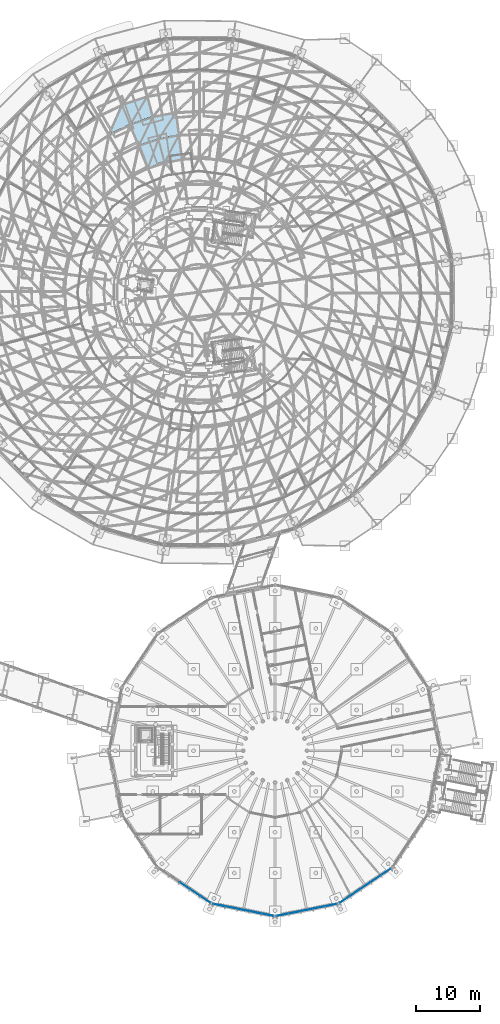
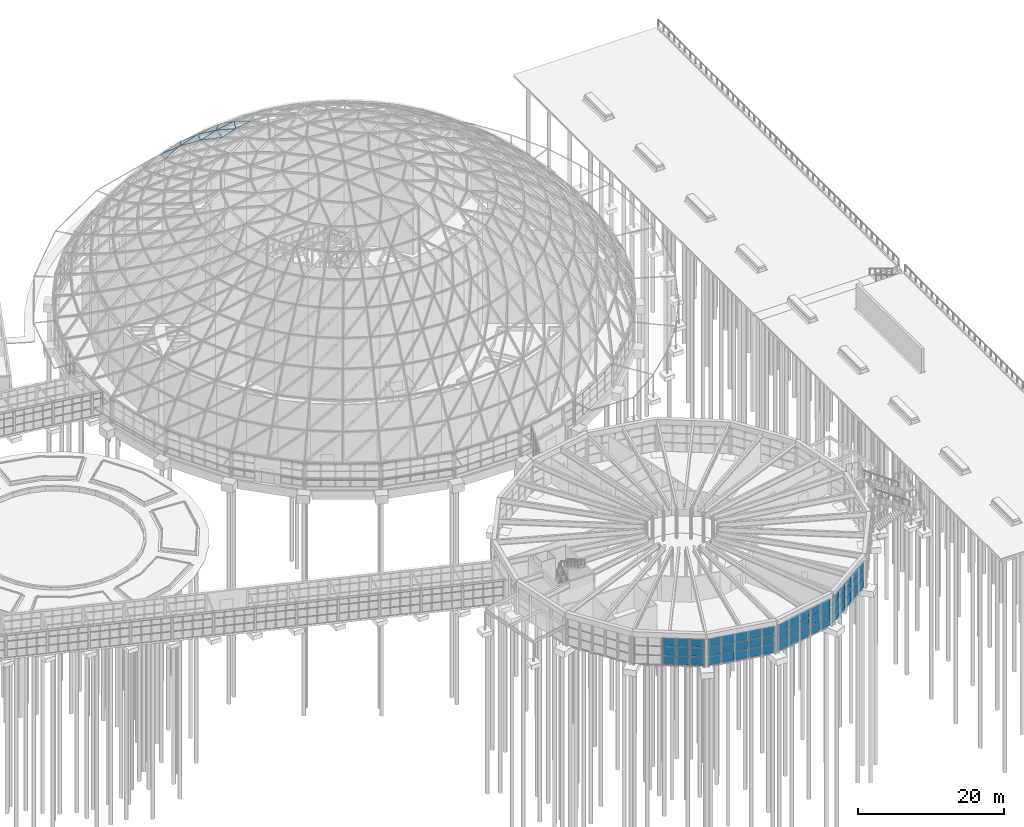
# One storey, part 142 of 226: 65 plates, 4 elements without a shape of their own.
"""IFC4 building model written with IfcOpenShell, lengths in metres."""

from ifc_helpers import new_model, si_unit, direction, frame, origin, origin_2d, place, context, subcontext, project, spatial, polyline, rectangle, outline, extrude, material, layer, layer_set, type_object, element, aggregate, save


model = new_model("IFC4")

# Units and contexts
model_context = context("Model", 3, precision=1e-05, world=origin(), true_north=direction((0.0, 1.0)))
body_context = subcontext(model_context, "Body", "Model", "MODEL_VIEW")
ifc_project = project(units=[si_unit("LENGTHUNIT", "METRE"), si_unit("AREAUNIT", "SQUARE_METRE"), si_unit("VOLUMEUNIT", "CUBIC_METRE"), si_unit("PLANEANGLEUNIT", "RADIAN"), si_unit("MASSUNIT", "GRAM", prefix="KILO")], contexts=[model_context])

# Site, building, storey
site_placement = place(None, origin())
site = spatial("IfcSite", under=ifc_project, at=site_placement, CompositionType="ELEMENT")
building_placement = place(site_placement, origin())
building = spatial("IfcBuilding", under=site, at=building_placement, Name="Ceibo Conservatory and Research Tower", CompositionType="ELEMENT")
storey_placement = place(building_placement, origin())
storey = spatial("IfcBuildingStorey", under=building, at=storey_placement, Name="L00", CompositionType="ELEMENT", Elevation=0.0)

# Plates
ifc_material_1 = material(Name="Laminated glass", Category="glass")
ifc_layer_1 = layer(ifc_material_1, 0.035888671875)
ifc_layer_set_1 = layer_set([ifc_layer_1], Name="Laminated glass")
plate_type_1 = type_object("IfcPlateType", Name="Gridshell roof glass 36", PredefinedType="SHEET", material=ifc_layer_set_1)
plate_1_placement = place(storey_placement, frame((147.88427734375, 138.825439453125, 14.735107421875), z_axis=(-0.20446077531, 0.610779892155, 0.764946870507), x_axis=(-0.948278477637, -0.317439645997, 0.0)))
element("IfcPlate", 1, at=plate_1_placement, inside=storey, type_object=plate_type_1, Name="Glass panel A-P04-027", PredefinedType="SHEET", context=body_context, shape_type="SweptSolid", body=[
    extrude(outline(polyline([(0.0, 0.0), (4.169253414990529, 1.1102230246251565e-16), (3.9511782223790974, 4.371530440920581), (0.0, 0.0)])), origin(), (0.0, 0.0, -1.0), 0.035888671875),
])
plate_2_placement = place(storey_placement, frame((147.88427734375, 138.825439453125, 14.735107421875), z_axis=(-0.204308966422, 0.610735918392, 0.765022538377), x_axis=(-0.455711868025, -0.750998574399, 0.477836619141)))
element("IfcPlate", 2, at=plate_2_placement, inside=storey, type_object=plate_type_1, Name="Glass panel A-P04-028", PredefinedType="SHEET", context=body_context, shape_type="SweptSolid", body=[
    extrude(outline(polyline([(0.0, 0.0), (5.892545098758103, 0.0), (3.390803005428059, 2.768753154470371), (0.0, 0.0)])), origin(), (0.0, 0.0, -1.0), 0.035888671875),
])
plate_3_placement = place(storey_placement, frame((143.9306640625, 137.501953125, 14.735107421875), z_axis=(-0.282443557744, 0.578880737511, 0.764933152914), x_axis=(-0.3537956959, -0.804047227385, 0.477845855582)))
element("IfcPlate", 3, at=plate_3_placement, inside=storey, type_object=plate_type_1, Name="Glass panel A-P04-030", PredefinedType="SHEET", context=body_context, shape_type="SweptSolid", body=[
    extrude(outline(polyline([(0.0, 0.0), (5.892431199793323, 4.440892098500626e-16), (3.390734286170372, 2.767807107823177), (0.0, 0.0)])), origin(), (0.0, 0.0, -1.0), 0.035888671875),
])
plate_4_placement = place(storey_placement, frame((152.39990234375, 136.2958984375, 17.55078125), z_axis=(-0.108793858736, 0.559639191027, 0.821564283649), x_axis=(-0.981623562883, -0.190827620624, 0.0)))
element("IfcPlate", 4, at=plate_4_placement, inside=storey, type_object=plate_type_1, Name="Glass panel A-P05-025", PredefinedType="SHEET", context=body_context, shape_type="SweptSolid", body=[
    extrude(outline(polyline([(0.0, 0.0), (3.73066571899013, 0.0), (3.4957060668333306, 4.37008531525886), (0.0, 0.0)])), origin(), (0.0, 0.0, -1.0), 0.035888671875),
])
plate_5_placement = place(storey_placement, frame((152.39990234375, 136.2958984375, 17.55078125), z_axis=(-0.108868572224, 0.559669848346, 0.821533501955), x_axis=(-0.490749297794, -0.748971814786, 0.445203714462)))
element("IfcPlate", 5, at=plate_5_placement, inside=storey, type_object=plate_type_1, Name="Glass panel A-P05-026", PredefinedType="SHEET", context=body_context, shape_type="SweptSolid", body=[
    extrude(outline(polyline([(0.0, 0.0), (5.596213592093898, -2.220446049250313e-16), (3.559321338069287, 2.5458715288218237), (0.0, 0.0)])), origin(), (0.0, 0.0, -1.0), 0.035888671875),
])
plate_6_placement = place(storey_placement, frame((148.73779296875, 135.583984375, 17.55078125), z_axis=(-0.180865110902, 0.540655760471, 0.82157115354), x_axis=(-0.948342536456, -0.317248220716, 0.0)))
element("IfcPlate", 6, at=plate_6_placement, inside=storey, type_object=plate_type_1, Name="Glass panel A-P05-027", PredefinedType="SHEET", context=body_context, shape_type="SweptSolid", body=[
    extrude(outline(polyline([(0.0, 0.0), (3.7315824434050784, 1.1102230246251565e-16), (3.4956492627569684, 4.370161202388543), (0.0, 0.0)])), origin(), (0.0, 0.0, -1.0), 0.035888671875),
])
plate_7_placement = place(storey_placement, frame((148.73779296875, 135.583984375, 17.55078125), z_axis=(-0.18088960049, 0.540662237575, 0.821561499399), x_axis=(-0.388837221636, -0.806598383353, 0.44520182282)))
element("IfcPlate", 7, at=plate_7_placement, inside=storey, type_object=plate_type_1, Name="Glass panel A-P05-028", PredefinedType="SHEET", context=body_context, shape_type="SweptSolid", body=[
    extrude(outline(polyline([(0.0, 0.0), (5.596237370151074, 0.0), (3.559667075945538, 2.5459029850353927), (0.0, 0.0)])), origin(), (0.0, 0.0, -1.0), 0.035888671875),
])
plate_8_placement = place(storey_placement, frame((152.85400390625, 132.72705078125, 20.042236328125), z_axis=(-0.093734737232, 0.481870066812, 0.871214690961), x_axis=(-0.98160096761, -0.190943814738, 0.0)))
element("IfcPlate", 8, at=plate_8_placement, inside=storey, type_object=plate_type_1, Name="Glass panel A-P06-025", PredefinedType="SHEET", context=body_context, shape_type="SweptSolid", body=[
    extrude(outline(polyline([(0.0, 0.0), (3.2604281767539405, 1.1102230246251565e-16), (3.011051529178231, 4.371037627159272), (0.0, 0.0)])), origin(), (0.0, 0.0, -1.0), 0.035888671875),
])
plate_9_placement = place(storey_placement, frame((152.85400390625, 132.72705078125, 20.042236328125), z_axis=(-0.093753762431, 0.481876977089, 0.871208821685), x_axis=(-0.419859274321, -0.812580405363, 0.404266341149)))
element("IfcPlate", 9, at=plate_9_placement, inside=storey, type_object=plate_type_1, Name="Glass panel A-P06-026", PredefinedType="SHEET", context=body_context, shape_type="SweptSolid", body=[
    extrude(outline(polyline([(0.0, 0.0), (5.307768010134648, 2.220446049250313e-16), (3.741251569925175, 2.2739069111641284), (0.0, 0.0)])), origin(), (0.0, 0.0, -1.0), 0.035888671875),
])
plate_10_placement = place(storey_placement, frame((149.653564453125, 132.1044921875, 20.042236328125), z_axis=(-0.155775901293, 0.465599720078, 0.871177805755), x_axis=(-0.948330755755, -0.317283434313, 0.0)))
element("IfcPlate", 10, at=plate_10_placement, inside=storey, type_object=plate_type_1, Name="Glass panel A-P06-027", PredefinedType="SHEET", context=body_context, shape_type="SweptSolid", body=[
    extrude(outline(polyline([(0.0, 0.0), (3.2602516118319063, 0.0), (3.0105649577236844, 4.370454885644657), (0.0, 0.0)])), origin(), (0.0, 0.0, -1.0), 0.035888671875),
])
plate_11_placement = place(storey_placement, frame((149.653564453125, 132.1044921875, 20.042236328125), z_axis=(-0.155638241436, 0.465569273811, 0.871218680405), x_axis=(-0.310338968485, -0.86035567575, 0.404323924402)))
element("IfcPlate", 11, at=plate_11_placement, inside=storey, type_object=plate_type_1, Name="Glass panel A-P06-028", PredefinedType="SHEET", context=body_context, shape_type="SweptSolid", body=[
    extrude(outline(polyline([(0.0, 0.0), (5.307012085168929, -3.3306690738754696e-16), (3.7410351398121575, 2.2743822750559963), (0.0, 0.0)])), origin(), (0.0, 0.0, -1.0), 0.035888671875),
])

# Curtain wall, plates
ifc_material_2 = material(Name="Aluminium and glass", Category="aluminium")
curtain_wall_type = type_object("IfcCurtainWallType", Name="Pavilion curtain wall", PredefinedType="NOTDEFINED", material=ifc_material_2)
curtain_wall_1_placement = place(storey_placement, origin())
curtain_wall_1 = element("IfcCurtainWall", 12, at=curtain_wall_1_placement, inside=storey, type_object=curtain_wall_type, Name="Pavilion curtain wall VC-CW11", PredefinedType="NOTDEFINED")
ifc_layer_2 = layer(ifc_material_1, 0.028076171875)
ifc_layer_set_2 = layer_set([ifc_layer_2], Name="Laminated glass")
plate_type_2 = type_object("IfcPlateType", Name="Pavilion glass 28", PredefinedType="CURTAIN_PANEL", material=ifc_layer_set_2)
plate_12_placement = place(storey_placement, frame((153.832763671875, 14.797119140625, 0.06005859375), z_axis=(0.0, 0.0, 1.0), x_axis=(0.831469588992, -0.555570267906, 0.0)))
plate_12 = element("IfcPlate", 13, at=plate_12_placement, type_object=plate_type_2, Name="VC-CW11 panel 3.1", PredefinedType="CURTAIN_PANEL", context=body_context, shape_type="SweptSolid", body=[
    extrude(rectangle(XDim=1.8876953125, YDim=0.028076171875, at=origin_2d()), origin(), (0.0, 0.0, 1.0), 1.490966796875),
])
plate_13_placement = place(storey_placement, frame((153.832763671875, 14.797119140625, 1.61083984375), z_axis=(0.0, 0.0, 1.0), x_axis=(0.831469588992, -0.555570267906, 0.0)))
plate_13 = element("IfcPlate", 14, at=plate_13_placement, type_object=plate_type_2, Name="VC-CW11 panel 3.2", PredefinedType="CURTAIN_PANEL", context=body_context, shape_type="SweptSolid", body=[
    extrude(rectangle(XDim=1.8876953125, YDim=0.028076171875, at=origin_2d()), origin(), (0.0, 0.0, 1.0), 1.47412109375),
])
plate_14_placement = place(storey_placement, frame((153.832763671875, 14.797119140625, 3.14501953125), z_axis=(0.0, 0.0, 1.0), x_axis=(0.831469588992, -0.555570267906, 0.0)))
plate_14 = element("IfcPlate", 15, at=plate_14_placement, type_object=plate_type_2, Name="VC-CW11 panel 3.3", PredefinedType="CURTAIN_PANEL", context=body_context, shape_type="SweptSolid", body=[
    extrude(rectangle(XDim=1.8876953125, YDim=0.028076171875, at=origin_2d()), origin(), (0.0, 0.0, 1.0), 1.444091796875),
])
plate_15_placement = place(storey_placement, frame((155.4521484375, 13.715087890625, 0.06005859375), z_axis=(0.0, 0.0, 1.0), x_axis=(0.831469588992, -0.555570267906, 0.0)))
plate_15 = element("IfcPlate", 16, at=plate_15_placement, type_object=plate_type_2, Name="VC-CW11 panel 4.1", PredefinedType="CURTAIN_PANEL", context=body_context, shape_type="SweptSolid", body=[
    extrude(rectangle(XDim=1.8876953125, YDim=0.028076171875, at=origin_2d()), origin(), (0.0, 0.0, 1.0), 1.490966796875),
])
plate_16_placement = place(storey_placement, frame((155.4521484375, 13.715087890625, 1.61083984375), z_axis=(0.0, 0.0, 1.0), x_axis=(0.831469588992, -0.555570267906, 0.0)))
plate_16 = element("IfcPlate", 17, at=plate_16_placement, type_object=plate_type_2, Name="VC-CW11 panel 4.2", PredefinedType="CURTAIN_PANEL", context=body_context, shape_type="SweptSolid", body=[
    extrude(rectangle(XDim=1.8876953125, YDim=0.028076171875, at=origin_2d()), origin(), (0.0, 0.0, 1.0), 1.47412109375),
])
plate_17_placement = place(storey_placement, frame((155.4521484375, 13.715087890625, 3.14501953125), z_axis=(0.0, 0.0, 1.0), x_axis=(0.831469588992, -0.555570267906, 0.0)))
plate_17 = element("IfcPlate", 18, at=plate_17_placement, type_object=plate_type_2, Name="VC-CW11 panel 4.3", PredefinedType="CURTAIN_PANEL", context=body_context, shape_type="SweptSolid", body=[
    extrude(rectangle(XDim=1.8876953125, YDim=0.028076171875, at=origin_2d()), origin(), (0.0, 0.0, 1.0), 1.444091796875),
])
plate_18_placement = place(storey_placement, frame((157.05908203125, 12.641357421875, 0.06005859375), z_axis=(0.0, 0.0, 1.0), x_axis=(0.831469588992, -0.555570267906, 0.0)))
plate_18 = element("IfcPlate", 19, at=plate_18_placement, type_object=plate_type_2, Name="VC-CW11 panel 5.1", PredefinedType="CURTAIN_PANEL", context=body_context, shape_type="SweptSolid", body=[
    extrude(rectangle(XDim=1.857666015625, YDim=0.028076171875, at=origin_2d()), origin(), (0.0, 0.0, 1.0), 1.490966796875),
])
plate_19_placement = place(storey_placement, frame((157.05908203125, 12.641357421875, 1.61083984375), z_axis=(0.0, 0.0, 1.0), x_axis=(0.831469588992, -0.555570267906, 0.0)))
plate_19 = element("IfcPlate", 20, at=plate_19_placement, type_object=plate_type_2, Name="VC-CW11 panel 5.2", PredefinedType="CURTAIN_PANEL", context=body_context, shape_type="SweptSolid", body=[
    extrude(rectangle(XDim=1.857666015625, YDim=0.028076171875, at=origin_2d()), origin(), (0.0, 0.0, 1.0), 1.47412109375),
])
plate_20_placement = place(storey_placement, frame((157.05908203125, 12.641357421875, 3.14501953125), z_axis=(0.0, 0.0, 1.0), x_axis=(0.831469588992, -0.555570267906, 0.0)))
plate_20 = element("IfcPlate", 21, at=plate_20_placement, type_object=plate_type_2, Name="VC-CW11 panel 5.3", PredefinedType="CURTAIN_PANEL", context=body_context, shape_type="SweptSolid", body=[
    extrude(rectangle(XDim=1.857666015625, YDim=0.028076171875, at=origin_2d()), origin(), (0.0, 0.0, 1.0), 1.444091796875),
])
aggregate(curtain_wall_1, [plate_12, plate_13, plate_14, plate_15, plate_16, plate_17, plate_18, plate_19, plate_20])

curtain_wall_2_placement = place(storey_placement, origin())
curtain_wall_2 = element("IfcCurtainWall", 22, at=curtain_wall_2_placement, inside=storey, type_object=curtain_wall_type, Name="Pavilion curtain wall VC-CW12", PredefinedType="NOTDEFINED")
plate_21_placement = place(storey_placement, frame((159.21923828125, 11.74658203125, 0.06005859375), z_axis=(0.0, 0.0, 1.0), x_axis=(0.980785282416, -0.195090311899, 0.0)))
plate_21 = element("IfcPlate", 23, at=plate_21_placement, type_object=plate_type_2, Name="VC-CW12 panel 1.1", PredefinedType="CURTAIN_PANEL", context=body_context, shape_type="SweptSolid", body=[
    extrude(rectangle(XDim=1.857666015625, YDim=0.028076171875, at=origin_2d()), origin(), (0.0, 0.0, 1.0), 1.490966796875),
])
plate_22_placement = place(storey_placement, frame((159.21923828125, 11.74658203125, 1.61083984375), z_axis=(0.0, 0.0, 1.0), x_axis=(0.980785282416, -0.195090311899, 0.0)))
plate_22 = element("IfcPlate", 24, at=plate_22_placement, type_object=plate_type_2, Name="VC-CW12 panel 1.2", PredefinedType="CURTAIN_PANEL", context=body_context, shape_type="SweptSolid", body=[
    extrude(rectangle(XDim=1.857666015625, YDim=0.028076171875, at=origin_2d()), origin(), (0.0, 0.0, 1.0), 1.47412109375),
])
plate_23_placement = place(storey_placement, frame((159.21923828125, 11.74658203125, 3.14501953125), z_axis=(0.0, 0.0, 1.0), x_axis=(0.980785282416, -0.195090311899, 0.0)))
plate_23 = element("IfcPlate", 25, at=plate_23_placement, type_object=plate_type_2, Name="VC-CW12 panel 1.3", PredefinedType="CURTAIN_PANEL", context=body_context, shape_type="SweptSolid", body=[
    extrude(rectangle(XDim=1.857666015625, YDim=0.028076171875, at=origin_2d()), origin(), (0.0, 0.0, 1.0), 1.444091796875),
])
plate_24_placement = place(storey_placement, frame((161.114990234375, 11.36962890625, 0.06005859375), z_axis=(0.0, 0.0, 1.0), x_axis=(0.980785282416, -0.195090311899, 0.0)))
plate_24 = element("IfcPlate", 26, at=plate_24_placement, type_object=plate_type_2, Name="VC-CW12 panel 2.1", PredefinedType="CURTAIN_PANEL", context=body_context, shape_type="SweptSolid", body=[
    extrude(rectangle(XDim=1.8876953125, YDim=0.028076171875, at=origin_2d()), origin(), (0.0, 0.0, 1.0), 1.490966796875),
])
plate_25_placement = place(storey_placement, frame((161.114990234375, 11.36962890625, 1.61083984375), z_axis=(0.0, 0.0, 1.0), x_axis=(0.980785282416, -0.195090311899, 0.0)))
plate_25 = element("IfcPlate", 27, at=plate_25_placement, type_object=plate_type_2, Name="VC-CW12 panel 2.2", PredefinedType="CURTAIN_PANEL", context=body_context, shape_type="SweptSolid", body=[
    extrude(rectangle(XDim=1.8876953125, YDim=0.028076171875, at=origin_2d()), origin(), (0.0, 0.0, 1.0), 1.47412109375),
])
plate_26_placement = place(storey_placement, frame((161.114990234375, 11.36962890625, 3.14501953125), z_axis=(0.0, 0.0, 1.0), x_axis=(0.980785282416, -0.195090311899, 0.0)))
plate_26 = element("IfcPlate", 28, at=plate_26_placement, type_object=plate_type_2, Name="VC-CW12 panel 2.3", PredefinedType="CURTAIN_PANEL", context=body_context, shape_type="SweptSolid", body=[
    extrude(rectangle(XDim=1.8876953125, YDim=0.028076171875, at=origin_2d()), origin(), (0.0, 0.0, 1.0), 1.444091796875),
])
plate_27_placement = place(storey_placement, frame((163.025146484375, 10.989501953125, 0.06005859375), z_axis=(0.0, 0.0, 1.0), x_axis=(0.980785282416, -0.195090311899, 0.0)))
plate_27 = element("IfcPlate", 29, at=plate_27_placement, type_object=plate_type_2, Name="VC-CW12 panel 3.1", PredefinedType="CURTAIN_PANEL", context=body_context, shape_type="SweptSolid", body=[
    extrude(rectangle(XDim=1.8876953125, YDim=0.028076171875, at=origin_2d()), origin(), (0.0, 0.0, 1.0), 1.490966796875),
])
plate_28_placement = place(storey_placement, frame((163.025146484375, 10.989501953125, 1.61083984375), z_axis=(0.0, 0.0, 1.0), x_axis=(0.980785282416, -0.195090311899, 0.0)))
plate_28 = element("IfcPlate", 30, at=plate_28_placement, type_object=plate_type_2, Name="VC-CW12 panel 3.2", PredefinedType="CURTAIN_PANEL", context=body_context, shape_type="SweptSolid", body=[
    extrude(rectangle(XDim=1.8876953125, YDim=0.028076171875, at=origin_2d()), origin(), (0.0, 0.0, 1.0), 1.47412109375),
])
plate_29_placement = place(storey_placement, frame((163.025146484375, 10.989501953125, 3.14501953125), z_axis=(0.0, 0.0, 1.0), x_axis=(0.980785282416, -0.195090311899, 0.0)))
plate_29 = element("IfcPlate", 31, at=plate_29_placement, type_object=plate_type_2, Name="VC-CW12 panel 3.3", PredefinedType="CURTAIN_PANEL", context=body_context, shape_type="SweptSolid", body=[
    extrude(rectangle(XDim=1.8876953125, YDim=0.028076171875, at=origin_2d()), origin(), (0.0, 0.0, 1.0), 1.444091796875),
])
plate_30_placement = place(storey_placement, frame((164.935302734375, 10.609619140625, 0.06005859375), z_axis=(0.0, 0.0, 1.0), x_axis=(0.980785282416, -0.195090311899, 0.0)))
plate_30 = element("IfcPlate", 32, at=plate_30_placement, type_object=plate_type_2, Name="VC-CW12 panel 4.1", PredefinedType="CURTAIN_PANEL", context=body_context, shape_type="SweptSolid", body=[
    extrude(rectangle(XDim=1.8876953125, YDim=0.028076171875, at=origin_2d()), origin(), (0.0, 0.0, 1.0), 1.490966796875),
])
plate_31_placement = place(storey_placement, frame((164.935302734375, 10.609619140625, 1.61083984375), z_axis=(0.0, 0.0, 1.0), x_axis=(0.980785282416, -0.195090311899, 0.0)))
plate_31 = element("IfcPlate", 33, at=plate_31_placement, type_object=plate_type_2, Name="VC-CW12 panel 4.2", PredefinedType="CURTAIN_PANEL", context=body_context, shape_type="SweptSolid", body=[
    extrude(rectangle(XDim=1.8876953125, YDim=0.028076171875, at=origin_2d()), origin(), (0.0, 0.0, 1.0), 1.47412109375),
])
plate_32_placement = place(storey_placement, frame((164.935302734375, 10.609619140625, 3.14501953125), z_axis=(0.0, 0.0, 1.0), x_axis=(0.980785282416, -0.195090311899, 0.0)))
plate_32 = element("IfcPlate", 34, at=plate_32_placement, type_object=plate_type_2, Name="VC-CW12 panel 4.3", PredefinedType="CURTAIN_PANEL", context=body_context, shape_type="SweptSolid", body=[
    extrude(rectangle(XDim=1.8876953125, YDim=0.028076171875, at=origin_2d()), origin(), (0.0, 0.0, 1.0), 1.444091796875),
])
plate_33_placement = place(storey_placement, frame((166.830810546875, 10.232666015625, 0.06005859375), z_axis=(0.0, 0.0, 1.0), x_axis=(0.980785282416, -0.195090311899, 0.0)))
plate_33 = element("IfcPlate", 35, at=plate_33_placement, type_object=plate_type_2, Name="VC-CW12 panel 5.1", PredefinedType="CURTAIN_PANEL", context=body_context, shape_type="SweptSolid", body=[
    extrude(rectangle(XDim=1.857666015625, YDim=0.028076171875, at=origin_2d()), origin(), (0.0, 0.0, 1.0), 1.490966796875),
])
plate_34_placement = place(storey_placement, frame((166.830810546875, 10.232666015625, 1.61083984375), z_axis=(0.0, 0.0, 1.0), x_axis=(0.980785282416, -0.195090311899, 0.0)))
plate_34 = element("IfcPlate", 36, at=plate_34_placement, type_object=plate_type_2, Name="VC-CW12 panel 5.2", PredefinedType="CURTAIN_PANEL", context=body_context, shape_type="SweptSolid", body=[
    extrude(rectangle(XDim=1.857666015625, YDim=0.028076171875, at=origin_2d()), origin(), (0.0, 0.0, 1.0), 1.47412109375),
])
plate_35_placement = place(storey_placement, frame((166.830810546875, 10.232666015625, 3.14501953125), z_axis=(0.0, 0.0, 1.0), x_axis=(0.980785282416, -0.195090311899, 0.0)))
plate_35 = element("IfcPlate", 37, at=plate_35_placement, type_object=plate_type_2, Name="VC-CW12 panel 5.3", PredefinedType="CURTAIN_PANEL", context=body_context, shape_type="SweptSolid", body=[
    extrude(rectangle(XDim=1.857666015625, YDim=0.028076171875, at=origin_2d()), origin(), (0.0, 0.0, 1.0), 1.444091796875),
])
aggregate(curtain_wall_2, [plate_21, plate_22, plate_23, plate_24, plate_25, plate_26, plate_27, plate_28, plate_29, plate_30, plate_31, plate_32, plate_33, plate_34, plate_35])

curtain_wall_3_placement = place(storey_placement, origin())
curtain_wall_3 = element("IfcCurtainWall", 38, at=curtain_wall_3_placement, inside=storey, type_object=curtain_wall_type, Name="Pavilion curtain wall VC-CW13", PredefinedType="NOTDEFINED")
plate_36_placement = place(storey_placement, frame((169.169189453125, 10.232666015625, 0.06005859375), z_axis=(0.0, 0.0, 1.0), x_axis=(0.980785282416, 0.195090311899, 0.0)))
plate_36 = element("IfcPlate", 39, at=plate_36_placement, type_object=plate_type_2, Name="VC-CW13 panel 1.1", PredefinedType="CURTAIN_PANEL", context=body_context, shape_type="SweptSolid", body=[
    extrude(rectangle(XDim=1.857666015625, YDim=0.028076171875, at=origin_2d()), origin(), (0.0, 0.0, 1.0), 1.490966796875),
])
plate_37_placement = place(storey_placement, frame((169.169189453125, 10.232666015625, 1.61083984375), z_axis=(0.0, 0.0, 1.0), x_axis=(0.980785282416, 0.195090311899, 0.0)))
plate_37 = element("IfcPlate", 40, at=plate_37_placement, type_object=plate_type_2, Name="VC-CW13 panel 1.2", PredefinedType="CURTAIN_PANEL", context=body_context, shape_type="SweptSolid", body=[
    extrude(rectangle(XDim=1.857666015625, YDim=0.028076171875, at=origin_2d()), origin(), (0.0, 0.0, 1.0), 1.47412109375),
])
plate_38_placement = place(storey_placement, frame((169.169189453125, 10.232666015625, 3.14501953125), z_axis=(0.0, 0.0, 1.0), x_axis=(0.980785282416, 0.195090311899, 0.0)))
plate_38 = element("IfcPlate", 41, at=plate_38_placement, type_object=plate_type_2, Name="VC-CW13 panel 1.3", PredefinedType="CURTAIN_PANEL", context=body_context, shape_type="SweptSolid", body=[
    extrude(rectangle(XDim=1.857666015625, YDim=0.028076171875, at=origin_2d()), origin(), (0.0, 0.0, 1.0), 1.444091796875),
])
plate_39_placement = place(storey_placement, frame((171.064697265625, 10.609619140625, 0.06005859375), z_axis=(0.0, 0.0, 1.0), x_axis=(0.980785282416, 0.195090311899, 0.0)))
plate_39 = element("IfcPlate", 42, at=plate_39_placement, type_object=plate_type_2, Name="VC-CW13 panel 2.1", PredefinedType="CURTAIN_PANEL", context=body_context, shape_type="SweptSolid", body=[
    extrude(rectangle(XDim=1.8876953125, YDim=0.028076171875, at=origin_2d()), origin(), (0.0, 0.0, 1.0), 1.490966796875),
])
plate_40_placement = place(storey_placement, frame((171.064697265625, 10.609619140625, 1.61083984375), z_axis=(0.0, 0.0, 1.0), x_axis=(0.980785282416, 0.195090311899, 0.0)))
plate_40 = element("IfcPlate", 43, at=plate_40_placement, type_object=plate_type_2, Name="VC-CW13 panel 2.2", PredefinedType="CURTAIN_PANEL", context=body_context, shape_type="SweptSolid", body=[
    extrude(rectangle(XDim=1.8876953125, YDim=0.028076171875, at=origin_2d()), origin(), (0.0, 0.0, 1.0), 1.47412109375),
])
plate_41_placement = place(storey_placement, frame((171.064697265625, 10.609619140625, 3.14501953125), z_axis=(0.0, 0.0, 1.0), x_axis=(0.980785282416, 0.195090311899, 0.0)))
plate_41 = element("IfcPlate", 44, at=plate_41_placement, type_object=plate_type_2, Name="VC-CW13 panel 2.3", PredefinedType="CURTAIN_PANEL", context=body_context, shape_type="SweptSolid", body=[
    extrude(rectangle(XDim=1.8876953125, YDim=0.028076171875, at=origin_2d()), origin(), (0.0, 0.0, 1.0), 1.444091796875),
])
plate_42_placement = place(storey_placement, frame((172.974853515625, 10.989501953125, 0.06005859375), z_axis=(0.0, 0.0, 1.0), x_axis=(0.980785282416, 0.195090311899, 0.0)))
plate_42 = element("IfcPlate", 45, at=plate_42_placement, type_object=plate_type_2, Name="VC-CW13 panel 3.1", PredefinedType="CURTAIN_PANEL", context=body_context, shape_type="SweptSolid", body=[
    extrude(rectangle(XDim=1.8876953125, YDim=0.028076171875, at=origin_2d()), origin(), (0.0, 0.0, 1.0), 1.490966796875),
])
plate_43_placement = place(storey_placement, frame((172.974853515625, 10.989501953125, 1.61083984375), z_axis=(0.0, 0.0, 1.0), x_axis=(0.980785282416, 0.195090311899, 0.0)))
plate_43 = element("IfcPlate", 46, at=plate_43_placement, type_object=plate_type_2, Name="VC-CW13 panel 3.2", PredefinedType="CURTAIN_PANEL", context=body_context, shape_type="SweptSolid", body=[
    extrude(rectangle(XDim=1.8876953125, YDim=0.028076171875, at=origin_2d()), origin(), (0.0, 0.0, 1.0), 1.47412109375),
])
plate_44_placement = place(storey_placement, frame((172.974853515625, 10.989501953125, 3.14501953125), z_axis=(0.0, 0.0, 1.0), x_axis=(0.980785282416, 0.195090311899, 0.0)))
plate_44 = element("IfcPlate", 47, at=plate_44_placement, type_object=plate_type_2, Name="VC-CW13 panel 3.3", PredefinedType="CURTAIN_PANEL", context=body_context, shape_type="SweptSolid", body=[
    extrude(rectangle(XDim=1.8876953125, YDim=0.028076171875, at=origin_2d()), origin(), (0.0, 0.0, 1.0), 1.444091796875),
])
plate_45_placement = place(storey_placement, frame((174.885009765625, 11.36962890625, 0.06005859375), z_axis=(0.0, 0.0, 1.0), x_axis=(0.980785282416, 0.195090311899, 0.0)))
plate_45 = element("IfcPlate", 48, at=plate_45_placement, type_object=plate_type_2, Name="VC-CW13 panel 4.1", PredefinedType="CURTAIN_PANEL", context=body_context, shape_type="SweptSolid", body=[
    extrude(rectangle(XDim=1.8876953125, YDim=0.028076171875, at=origin_2d()), origin(), (0.0, 0.0, 1.0), 1.490966796875),
])
plate_46_placement = place(storey_placement, frame((174.885009765625, 11.36962890625, 1.61083984375), z_axis=(0.0, 0.0, 1.0), x_axis=(0.980785282416, 0.195090311899, 0.0)))
plate_46 = element("IfcPlate", 49, at=plate_46_placement, type_object=plate_type_2, Name="VC-CW13 panel 4.2", PredefinedType="CURTAIN_PANEL", context=body_context, shape_type="SweptSolid", body=[
    extrude(rectangle(XDim=1.8876953125, YDim=0.028076171875, at=origin_2d()), origin(), (0.0, 0.0, 1.0), 1.47412109375),
])
plate_47_placement = place(storey_placement, frame((174.885009765625, 11.36962890625, 3.14501953125), z_axis=(0.0, 0.0, 1.0), x_axis=(0.980785282416, 0.195090311899, 0.0)))
plate_47 = element("IfcPlate", 50, at=plate_47_placement, type_object=plate_type_2, Name="VC-CW13 panel 4.3", PredefinedType="CURTAIN_PANEL", context=body_context, shape_type="SweptSolid", body=[
    extrude(rectangle(XDim=1.8876953125, YDim=0.028076171875, at=origin_2d()), origin(), (0.0, 0.0, 1.0), 1.444091796875),
])
plate_48_placement = place(storey_placement, frame((176.78076171875, 11.74658203125, 0.06005859375), z_axis=(0.0, 0.0, 1.0), x_axis=(0.980785282416, 0.195090311899, 0.0)))
plate_48 = element("IfcPlate", 51, at=plate_48_placement, type_object=plate_type_2, Name="VC-CW13 panel 5.1", PredefinedType="CURTAIN_PANEL", context=body_context, shape_type="SweptSolid", body=[
    extrude(rectangle(XDim=1.857666015625, YDim=0.028076171875, at=origin_2d()), origin(), (0.0, 0.0, 1.0), 1.490966796875),
])
plate_49_placement = place(storey_placement, frame((176.78076171875, 11.74658203125, 1.61083984375), z_axis=(0.0, 0.0, 1.0), x_axis=(0.980785282416, 0.195090311899, 0.0)))
plate_49 = element("IfcPlate", 52, at=plate_49_placement, type_object=plate_type_2, Name="VC-CW13 panel 5.2", PredefinedType="CURTAIN_PANEL", context=body_context, shape_type="SweptSolid", body=[
    extrude(rectangle(XDim=1.857666015625, YDim=0.028076171875, at=origin_2d()), origin(), (0.0, 0.0, 1.0), 1.47412109375),
])
plate_50_placement = place(storey_placement, frame((176.78076171875, 11.74658203125, 3.14501953125), z_axis=(0.0, 0.0, 1.0), x_axis=(0.980785282416, 0.195090311899, 0.0)))
plate_50 = element("IfcPlate", 53, at=plate_50_placement, type_object=plate_type_2, Name="VC-CW13 panel 5.3", PredefinedType="CURTAIN_PANEL", context=body_context, shape_type="SweptSolid", body=[
    extrude(rectangle(XDim=1.857666015625, YDim=0.028076171875, at=origin_2d()), origin(), (0.0, 0.0, 1.0), 1.444091796875),
])
aggregate(curtain_wall_3, [plate_36, plate_37, plate_38, plate_39, plate_40, plate_41, plate_42, plate_43, plate_44, plate_45, plate_46, plate_47, plate_48, plate_49, plate_50])

curtain_wall_4_placement = place(storey_placement, origin())
curtain_wall_4 = element("IfcCurtainWall", 54, at=curtain_wall_4_placement, inside=storey, type_object=curtain_wall_type, Name="Pavilion curtain wall VC-CW14", PredefinedType="NOTDEFINED")
plate_51_placement = place(storey_placement, frame((178.94091796875, 12.641357421875, 0.06005859375), z_axis=(0.0, 0.0, 1.0), x_axis=(0.831469588992, 0.555570267906, 0.0)))
plate_51 = element("IfcPlate", 55, at=plate_51_placement, type_object=plate_type_2, Name="VC-CW14 panel 1.1", PredefinedType="CURTAIN_PANEL", context=body_context, shape_type="SweptSolid", body=[
    extrude(rectangle(XDim=1.857666015625, YDim=0.028076171875, at=origin_2d()), origin(), (0.0, 0.0, 1.0), 1.490966796875),
])
plate_52_placement = place(storey_placement, frame((178.94091796875, 12.641357421875, 1.61083984375), z_axis=(0.0, 0.0, 1.0), x_axis=(0.831469588992, 0.555570267906, 0.0)))
plate_52 = element("IfcPlate", 56, at=plate_52_placement, type_object=plate_type_2, Name="VC-CW14 panel 1.2", PredefinedType="CURTAIN_PANEL", context=body_context, shape_type="SweptSolid", body=[
    extrude(rectangle(XDim=1.857666015625, YDim=0.028076171875, at=origin_2d()), origin(), (0.0, 0.0, 1.0), 1.47412109375),
])
plate_53_placement = place(storey_placement, frame((178.94091796875, 12.641357421875, 3.14501953125), z_axis=(0.0, 0.0, 1.0), x_axis=(0.831469588992, 0.555570267906, 0.0)))
plate_53 = element("IfcPlate", 57, at=plate_53_placement, type_object=plate_type_2, Name="VC-CW14 panel 1.3", PredefinedType="CURTAIN_PANEL", context=body_context, shape_type="SweptSolid", body=[
    extrude(rectangle(XDim=1.857666015625, YDim=0.028076171875, at=origin_2d()), origin(), (0.0, 0.0, 1.0), 1.444091796875),
])
plate_54_placement = place(storey_placement, frame((180.5478515625, 13.715087890625, 0.06005859375), z_axis=(0.0, 0.0, 1.0), x_axis=(0.831469588992, 0.555570267906, 0.0)))
plate_54 = element("IfcPlate", 58, at=plate_54_placement, type_object=plate_type_2, Name="VC-CW14 panel 2.1", PredefinedType="CURTAIN_PANEL", context=body_context, shape_type="SweptSolid", body=[
    extrude(rectangle(XDim=1.8876953125, YDim=0.028076171875, at=origin_2d()), origin(), (0.0, 0.0, 1.0), 1.490966796875),
])
plate_55_placement = place(storey_placement, frame((180.5478515625, 13.715087890625, 1.61083984375), z_axis=(0.0, 0.0, 1.0), x_axis=(0.831469588992, 0.555570267906, 0.0)))
plate_55 = element("IfcPlate", 59, at=plate_55_placement, type_object=plate_type_2, Name="VC-CW14 panel 2.2", PredefinedType="CURTAIN_PANEL", context=body_context, shape_type="SweptSolid", body=[
    extrude(rectangle(XDim=1.8876953125, YDim=0.028076171875, at=origin_2d()), origin(), (0.0, 0.0, 1.0), 1.47412109375),
])
plate_56_placement = place(storey_placement, frame((180.5478515625, 13.715087890625, 3.14501953125), z_axis=(0.0, 0.0, 1.0), x_axis=(0.831469588992, 0.555570267906, 0.0)))
plate_56 = element("IfcPlate", 60, at=plate_56_placement, type_object=plate_type_2, Name="VC-CW14 panel 2.3", PredefinedType="CURTAIN_PANEL", context=body_context, shape_type="SweptSolid", body=[
    extrude(rectangle(XDim=1.8876953125, YDim=0.028076171875, at=origin_2d()), origin(), (0.0, 0.0, 1.0), 1.444091796875),
])
plate_57_placement = place(storey_placement, frame((182.167236328125, 14.797119140625, 0.06005859375), z_axis=(0.0, 0.0, 1.0), x_axis=(0.831469588992, 0.555570267906, 0.0)))
plate_57 = element("IfcPlate", 61, at=plate_57_placement, type_object=plate_type_2, Name="VC-CW14 panel 3.1", PredefinedType="CURTAIN_PANEL", context=body_context, shape_type="SweptSolid", body=[
    extrude(rectangle(XDim=1.8876953125, YDim=0.028076171875, at=origin_2d()), origin(), (0.0, 0.0, 1.0), 1.490966796875),
])
plate_58_placement = place(storey_placement, frame((182.167236328125, 14.797119140625, 1.61083984375), z_axis=(0.0, 0.0, 1.0), x_axis=(0.831469588992, 0.555570267906, 0.0)))
plate_58 = element("IfcPlate", 62, at=plate_58_placement, type_object=plate_type_2, Name="VC-CW14 panel 3.2", PredefinedType="CURTAIN_PANEL", context=body_context, shape_type="SweptSolid", body=[
    extrude(rectangle(XDim=1.8876953125, YDim=0.028076171875, at=origin_2d()), origin(), (0.0, 0.0, 1.0), 1.47412109375),
])
plate_59_placement = place(storey_placement, frame((182.167236328125, 14.797119140625, 3.14501953125), z_axis=(0.0, 0.0, 1.0), x_axis=(0.831469588992, 0.555570267906, 0.0)))
plate_59 = element("IfcPlate", 63, at=plate_59_placement, type_object=plate_type_2, Name="VC-CW14 panel 3.3", PredefinedType="CURTAIN_PANEL", context=body_context, shape_type="SweptSolid", body=[
    extrude(rectangle(XDim=1.8876953125, YDim=0.028076171875, at=origin_2d()), origin(), (0.0, 0.0, 1.0), 1.444091796875),
])
plate_60_placement = place(storey_placement, frame((183.78662109375, 15.879150390625, 0.06005859375), z_axis=(0.0, 0.0, 1.0), x_axis=(0.831469588992, 0.555570267906, 0.0)))
plate_60 = element("IfcPlate", 64, at=plate_60_placement, type_object=plate_type_2, Name="VC-CW14 panel 4.1", PredefinedType="CURTAIN_PANEL", context=body_context, shape_type="SweptSolid", body=[
    extrude(rectangle(XDim=1.8876953125, YDim=0.028076171875, at=origin_2d()), origin(), (0.0, 0.0, 1.0), 1.490966796875),
])
plate_61_placement = place(storey_placement, frame((183.78662109375, 15.879150390625, 1.61083984375), z_axis=(0.0, 0.0, 1.0), x_axis=(0.831469588992, 0.555570267906, 0.0)))
plate_61 = element("IfcPlate", 65, at=plate_61_placement, type_object=plate_type_2, Name="VC-CW14 panel 4.2", PredefinedType="CURTAIN_PANEL", context=body_context, shape_type="SweptSolid", body=[
    extrude(rectangle(XDim=1.8876953125, YDim=0.028076171875, at=origin_2d()), origin(), (0.0, 0.0, 1.0), 1.47412109375),
])
plate_62_placement = place(storey_placement, frame((183.78662109375, 15.879150390625, 3.14501953125), z_axis=(0.0, 0.0, 1.0), x_axis=(0.831469588992, 0.555570267906, 0.0)))
plate_62 = element("IfcPlate", 66, at=plate_62_placement, type_object=plate_type_2, Name="VC-CW14 panel 4.3", PredefinedType="CURTAIN_PANEL", context=body_context, shape_type="SweptSolid", body=[
    extrude(rectangle(XDim=1.8876953125, YDim=0.028076171875, at=origin_2d()), origin(), (0.0, 0.0, 1.0), 1.444091796875),
])
plate_63_placement = place(storey_placement, frame((185.3935546875, 16.952880859375, 0.06005859375), z_axis=(0.0, 0.0, 1.0), x_axis=(0.831469588992, 0.555570267906, 0.0)))
plate_63 = element("IfcPlate", 67, at=plate_63_placement, type_object=plate_type_2, Name="VC-CW14 panel 5.1", PredefinedType="CURTAIN_PANEL", context=body_context, shape_type="SweptSolid", body=[
    extrude(rectangle(XDim=1.857666015625, YDim=0.028076171875, at=origin_2d()), origin(), (0.0, 0.0, 1.0), 1.490966796875),
])
plate_64_placement = place(storey_placement, frame((185.3935546875, 16.952880859375, 1.61083984375), z_axis=(0.0, 0.0, 1.0), x_axis=(0.831469588992, 0.555570267906, 0.0)))
plate_64 = element("IfcPlate", 68, at=plate_64_placement, type_object=plate_type_2, Name="VC-CW14 panel 5.2", PredefinedType="CURTAIN_PANEL", context=body_context, shape_type="SweptSolid", body=[
    extrude(rectangle(XDim=1.857666015625, YDim=0.028076171875, at=origin_2d()), origin(), (0.0, 0.0, 1.0), 1.47412109375),
])
plate_65_placement = place(storey_placement, frame((185.3935546875, 16.952880859375, 3.14501953125), z_axis=(0.0, 0.0, 1.0), x_axis=(0.831469588992, 0.555570267906, 0.0)))
plate_65 = element("IfcPlate", 69, at=plate_65_placement, type_object=plate_type_2, Name="VC-CW14 panel 5.3", PredefinedType="CURTAIN_PANEL", context=body_context, shape_type="SweptSolid", body=[
    extrude(rectangle(XDim=1.857666015625, YDim=0.028076171875, at=origin_2d()), origin(), (0.0, 0.0, 1.0), 1.444091796875),
])
aggregate(curtain_wall_4, [plate_51, plate_52, plate_53, plate_54, plate_55, plate_56, plate_57, plate_58, plate_59, plate_60, plate_61, plate_62, plate_63, plate_64, plate_65])

save(model, "model.ifc")
